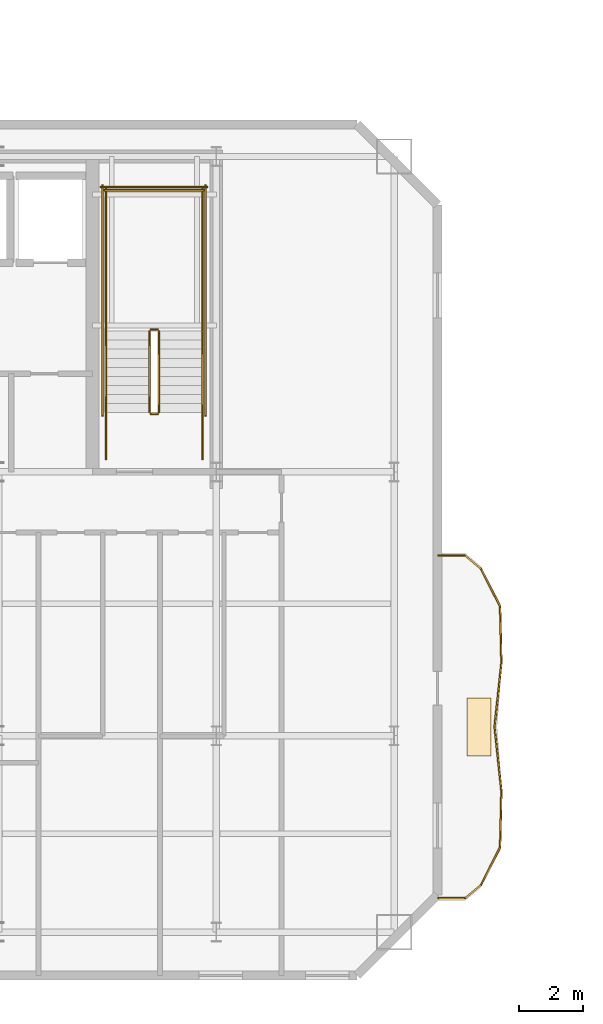
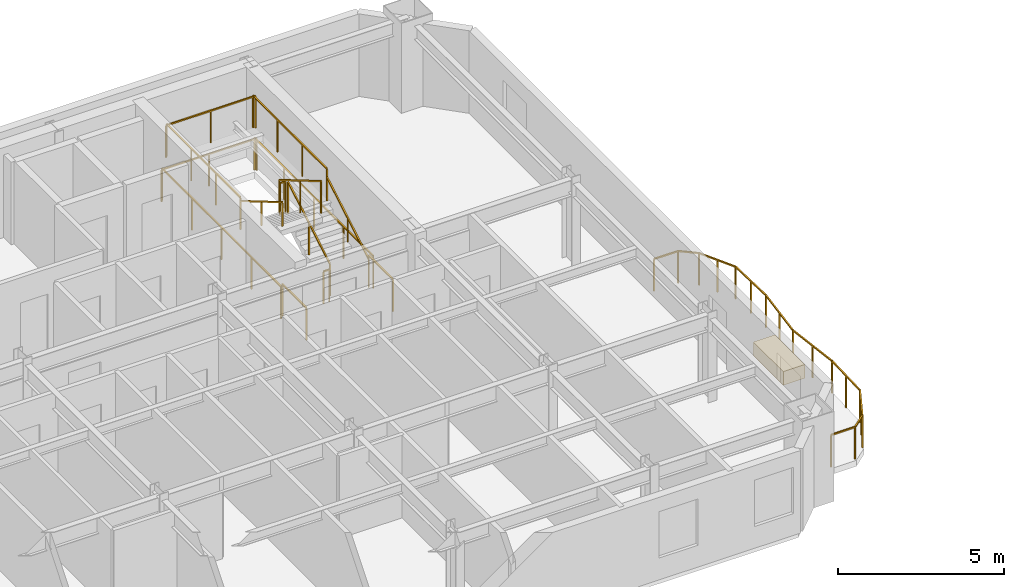
# One storey, part 12 of 14: 24 railings, 1 covering.
"""IFC4 building model written with IfcOpenShell, lengths in metres."""

import ifcopenshell
import ifcopenshell.guid

model = None  # the IFC model being written
_history = None  # IfcOwnerHistory: only IFC2X3 demands one
_inside = {}  # id of a spatial element -> (the spatial element, [elements in it])
_under = {}  # id of a project, library or spatial element -> (it, [spatial elements below it])
_declared = {}  # id of a project -> (the project, [libraries it declares])
_typed = {}  # id of a type object -> (the type object, [elements of that type])
_made_of = {}  # id of a material, layer set ... -> (it, [elements and type objects made of it])


def new_model(schema):
    """Start an empty IFC model of exactly this schema.

    Asked for "IFC4X3", IfcOpenShell would pick the latest addendum, in which some entities
    have other attributes; the version numbers below select the first issue.
    IFC2X3 requires an IfcOwnerHistory on every rooted entity: one is made here for all.
    """
    global model, _history
    if schema == "IFC4X3":
        model = ifcopenshell.file(schema_version=(4, 3, 0, 0))
    else:
        model = ifcopenshell.file(schema=schema)
    _inside.clear()
    _under.clear()
    _declared.clear()
    _typed.clear()
    _made_of.clear()
    _history = None
    if model.schema == "IFC2X3":
        org = make("IfcOrganization", Name="unknown")
        user = make(
            "IfcPersonAndOrganization",
            ThePerson=make("IfcPerson", FamilyName="unknown"),
            TheOrganization=org,
        )
        app = make(
            "IfcApplication",
            ApplicationDeveloper=org,
            Version="unknown",
            ApplicationFullName="unknown",
            ApplicationIdentifier="unknown",
        )
        _history = make(
            "IfcOwnerHistory",
            OwningUser=user,
            OwningApplication=app,
            ChangeAction="ADDED",
            CreationDate=0,
        )
    return model


def make(cls, **values):
    """One entity of the class cls with the attributes given. An attribute that is None is left unset."""
    return model.create_entity(
        cls, **{name: value for name, value in values.items() if value is not None}
    )


def rooted(cls, **values):
    """An entity with a GlobalId (a new one), such as an element, a storey or a relation."""
    return make(cls, GlobalId=ifcopenshell.guid.new(), OwnerHistory=_history, **values)


def si_unit(unit_type, name, prefix=None):
    """IfcSIUnit, for example si_unit("LENGTHUNIT", "METRE", prefix="MILLI")."""
    return make("IfcSIUnit", UnitType=unit_type, Prefix=prefix, Name=name)


def assignment(units):
    """IfcUnitAssignment: the units of a project."""
    return None if units is None else make("IfcUnitAssignment", Units=units)


def point(xyz):
    """IfcCartesianPoint."""
    return None if xyz is None else make("IfcCartesianPoint", Coordinates=xyz)


def direction(xyz):
    """IfcDirection."""
    return None if xyz is None else make("IfcDirection", DirectionRatios=xyz)


def frame(location, z_axis=None, x_axis=None):
    """IfcAxis2Placement3D, a coordinate frame: its origin and axes. An axis left out is left unset."""
    return make(
        "IfcAxis2Placement3D",
        Location=point(location),
        Axis=direction(z_axis),
        RefDirection=direction(x_axis),
    )


def frame_2d(location, x_axis=None):
    """IfcAxis2Placement2D, a coordinate frame in the plane: its origin and x axis."""
    return make(
        "IfcAxis2Placement2D", Location=point(location), RefDirection=direction(x_axis)
    )


def origin():
    """The frame at (0, 0, 0) with its axes left unset."""
    return frame((0.0, 0.0, 0.0))


def origin_2d():
    """The frame at (0, 0) in the plane with its x axis left unset."""
    return frame_2d((0.0, 0.0))


def place(relative_to, where):
    """IfcLocalPlacement: puts the frame where relative to a parent placement (None: the world)."""
    return make(
        "IfcLocalPlacement", PlacementRelTo=relative_to, RelativePlacement=where
    )


def context(
    kind, dimensions, precision=None, world=None, true_north=None, identifier=None
):
    """IfcGeometricRepresentationContext, for example the 3D "Model" context."""
    return make(
        "IfcGeometricRepresentationContext",
        ContextIdentifier=identifier,
        ContextType=kind,
        CoordinateSpaceDimension=dimensions,
        Precision=precision,
        WorldCoordinateSystem=world,
        TrueNorth=true_north,
    )


def subcontext(parent, identifier, kind, view, scale=None):
    """IfcGeometricRepresentationSubContext, for example "Body" below "Model"."""
    return make(
        "IfcGeometricRepresentationSubContext",
        ContextIdentifier=identifier,
        ContextType=kind,
        ParentContext=parent,
        TargetScale=scale,
        TargetView=view,
    )


def project(units=None, contexts=None):
    """IfcProject with its units and contexts."""
    return rooted(
        "IfcProject",
        Name="project",
        RepresentationContexts=contexts,
        UnitsInContext=assignment(units),
    )


def spatial(cls, under=None, at=None, **own):
    """A site, building, storey or space (cls), placed at a placement, below another one or the project."""
    s = rooted(cls, ObjectPlacement=at, **own)
    if under is not None:
        _under.setdefault(under.id(), (under, []))[1].append(s)
    return s


def profile(cls, at=None, kind="AREA", **sizes):
    """A parametric profile (cls). Its sizes go by their IFC names, for example OverallWidth=200.0."""
    return make(cls, ProfileType=kind, Position=at, **sizes)


def rectangle(**sizes):
    """IfcRectangleProfileDef."""
    return profile("IfcRectangleProfileDef", **sizes)


def extrude(swept, where, along, depth):
    """IfcExtrudedAreaSolid: the profile swept, set in the frame where, extruded along a direction by depth."""
    return make(
        "IfcExtrudedAreaSolid",
        SweptArea=swept,
        Position=where,
        ExtrudedDirection=direction(along),
        Depth=depth,
    )


def shape(context_of_items, identifier, shape_type, items):
    """IfcShapeRepresentation: the items that make up one representation, for example the "Body"."""
    return make(
        "IfcShapeRepresentation",
        ContextOfItems=context_of_items,
        RepresentationIdentifier=identifier,
        RepresentationType=shape_type,
        Items=items,
    )


def material(Name=None, Category=None):
    """IfcMaterial."""
    return make("IfcMaterial", Name=Name, Category=Category)


def layer(
    of_material, thickness, ventilated=None, Name=None, Category=None, Priority=None
):
    """IfcMaterialLayer: one layer of a wall or slab, of a material (None: an air gap)."""
    return make(
        "IfcMaterialLayer",
        Material=of_material,
        LayerThickness=thickness,
        IsVentilated=ventilated,
        Name=Name,
        Category=Category,
        Priority=Priority,
    )


def layer_set(layers, Name=None):
    """IfcMaterialLayerSet."""
    return make("IfcMaterialLayerSet", MaterialLayers=layers, LayerSetName=Name)


def made_of(thing, what):
    """Note that an element or type object is made of a material, layer set ...; save() writes the relation."""
    if what is not None:
        _made_of.setdefault(what.id(), (what, []))[1].append(thing)
    return thing


def type_object(cls, material=None, **own):
    """A type object (cls), such as IfcWallType, which elements share."""
    return made_of(rooted(cls, **own), material)


def element(
    cls,
    number,
    at=None,
    inside=None,
    cuts=None,
    type_object=None,
    material=None,
    context=None,
    identifier="Body",
    shape_type=None,
    held_by="IfcProductDefinitionShape",
    body=None,
    shapes=None,
    **own,
):
    """One element of the class cls, such as IfcWall. Its Tag is "e" and its number.

    at: its placement. inside: the storey or other place that contains it. cuts: it is an
    opening in that element (IfcRelVoidsElement). A single representation is given by context,
    identifier, shape_type and body (its items); several are given by shapes. held_by: the class
    of the entity that holds the representations. save() writes the other relations.
    """
    e = rooted(cls, Tag="e%d" % number, ObjectPlacement=at, **own)
    if body is not None:
        shapes = [shape(context, identifier, shape_type, body)]
    if shapes is not None:
        e.Representation = make(held_by, Representations=shapes)
    if inside is not None:
        _inside.setdefault(inside.id(), (inside, []))[1].append(e)
    if cuts is not None:
        rooted(
            "IfcRelVoidsElement", RelatingBuildingElement=cuts, RelatedOpeningElement=e
        )
    if type_object is not None:
        _typed.setdefault(type_object.id(), (type_object, []))[1].append(e)
    return made_of(e, material)


def aggregate(whole, parts):
    """IfcRelAggregates: a whole, such as a stair, and the parts it consists of."""
    return rooted("IfcRelAggregates", RelatingObject=whole, RelatedObjects=parts)


def save(model, path):
    """Write the relations noted so far, then the file.

    IfcRelAggregates (storeys below a building ...), IfcRelContainedInSpatialStructure (elements
    in a storey), IfcRelDefinesByType, IfcRelAssociatesMaterial and IfcRelDeclares: one each for
    every whole, place, type object, material and project.
    """
    for whole, parts in _under.values():
        aggregate(whole, parts)
    for where, things in _inside.values():
        rooted(
            "IfcRelContainedInSpatialStructure",
            RelatedElements=things,
            RelatingStructure=where,
        )
    for kind, things in _typed.values():
        rooted("IfcRelDefinesByType", RelatedObjects=things, RelatingType=kind)
    for what, things in _made_of.values():
        rooted("IfcRelAssociatesMaterial", RelatedObjects=things, RelatingMaterial=what)
    for by, libraries in _declared.values():
        rooted("IfcRelDeclares", RelatingContext=by, RelatedDefinitions=libraries)
    model.write(path)


model = new_model("IFC4")

# Units and contexts
model_context = context("Model", 3, precision=1e-05, world=origin(), true_north=direction((0.0, 1.0)))
body_context = subcontext(model_context, "Body", "Model", "MODEL_VIEW")
ifc_project = project(units=[si_unit("LENGTHUNIT", "METRE"), si_unit("AREAUNIT", "SQUARE_METRE"), si_unit("VOLUMEUNIT", "CUBIC_METRE"), si_unit("PLANEANGLEUNIT", "RADIAN"), si_unit("MASSUNIT", "GRAM", prefix="KILO")], contexts=[model_context])

# Site, building, storey
site_placement = place(None, origin())
site = spatial("IfcSite", under=ifc_project, at=site_placement, CompositionType="ELEMENT")
building_placement = place(site_placement, origin())
building = spatial("IfcBuilding", under=site, at=building_placement, Name="Haevon Station Towers", CompositionType="ELEMENT")
storey_placement = place(building_placement, frame((0.0, 0.0, 212.10009765625)))
storey = spatial("IfcBuildingStorey", under=building, at=storey_placement, Name="L58", CompositionType="ELEMENT", Elevation=212.10009765625)

# Railings
ifc_material_1 = material(Name="Steel S355", Category="steel")
railing_type_1 = type_object("IfcRailingType", Name="GRD-EXT1200", PredefinedType="GUARDRAIL", material=ifc_material_1)
railing_1_placement = place(storey_placement, frame((57.8984375, 24.952880859375, 0.0)))
element("IfcRailing", 1, at=railing_1_placement, inside=storey, type_object=railing_type_1, Name="L58 Perimeter Guardrail 1", PredefinedType="GUARDRAIL", context=body_context, shape_type="SweptSolid", body=[
    extrude(rectangle(XDim=0.048095703125, YDim=0.048095703125, at=origin_2d()), frame((0.0, 0.0, 1.17578125), z_axis=(0.999997284808, 0.002330317005, 0.0), x_axis=(-0.002330317005, 0.999997284808, 0.0)), (0.0, 0.0, 1.0), 0.838134765625),
    extrude(rectangle(XDim=0.0419921875, YDim=0.0419921875, at=origin_2d()), origin(), (0.0, 0.0, 1.0), 1.15185546875),
    extrude(rectangle(XDim=0.0419921875, YDim=0.0419921875, at=origin_2d()), frame((0.838134765625, 0.001953125, 0.0)), (0.0, 0.0, 1.0), 1.15185546875),
])
railing_2_placement = place(storey_placement, frame((58.736572265625, 24.954833984375, 0.0)))
element("IfcRailing", 2, at=railing_2_placement, inside=storey, type_object=railing_type_1, Name="L58 Perimeter Guardrail 2", PredefinedType="GUARDRAIL", context=body_context, shape_type="SweptSolid", body=[
    extrude(rectangle(XDim=0.048095703125, YDim=0.048095703125, at=origin_2d()), frame((0.0, 0.0, 1.17578125), z_axis=(0.766373275835, 0.64239551842, 0.0), x_axis=(-0.64239551842, 0.766373275835, 0.0)), (0.0, 0.0, 1.0), 0.639892578125),
    extrude(rectangle(XDim=0.0419921875, YDim=0.0419921875, at=origin_2d()), origin(), (0.0, 0.0, 1.0), 1.15185546875),
    extrude(rectangle(XDim=0.0419921875, YDim=0.0419921875, at=origin_2d()), frame((0.490478515625, 0.4111328125, 0.0)), (0.0, 0.0, 1.0), 1.15185546875),
])
railing_3_placement = place(storey_placement, frame((59.22705078125, 25.365966796875, 0.0)))
element("IfcRailing", 3, at=railing_3_placement, inside=storey, type_object=railing_type_1, Name="L58 Perimeter Guardrail 3", PredefinedType="GUARDRAIL", context=body_context, shape_type="SweptSolid", body=[
    extrude(rectangle(XDim=0.048095703125, YDim=0.048095703125, at=origin_2d()), frame((0.0, 0.0, 1.17578125), z_axis=(0.452270967259, 0.89188058179, 0.0), x_axis=(-0.89188058179, 0.452270967259, 0.0)), (0.0, 0.0, 1.0), 1.311279296875),
    extrude(rectangle(XDim=0.0419921875, YDim=0.0419921875, at=origin_2d()), origin(), (0.0, 0.0, 1.0), 1.15185546875),
    extrude(rectangle(XDim=0.0419921875, YDim=0.0419921875, at=origin_2d()), frame((0.29638671875, 0.584716796875, 0.0)), (0.0, 0.0, 1.0), 1.15185546875),
    extrude(rectangle(XDim=0.0419921875, YDim=0.0419921875, at=origin_2d()), frame((0.593017578125, 1.16943359375, 0.0)), (0.0, 0.0, 1.0), 1.15185546875),
])
railing_4_placement = place(storey_placement, frame((59.820068359375, 26.535400390625, 0.0)))
element("IfcRailing", 4, at=railing_4_placement, inside=storey, type_object=railing_type_1, Name="L58 Perimeter Guardrail 4", PredefinedType="GUARDRAIL", context=body_context, shape_type="SweptSolid", body=[
    extrude(rectangle(XDim=0.048095703125, YDim=0.048095703125, at=origin_2d()), frame((0.0, 0.0, 1.17578125), z_axis=(0.023447411983, 0.999725071643, 0.0), x_axis=(-0.999725071643, 0.023447411983, 0.0)), (0.0, 0.0, 1.0), 1.749267578125),
    extrude(rectangle(XDim=0.0419921875, YDim=0.0419921875, at=origin_2d()), origin(), (0.0, 0.0, 1.0), 1.15185546875),
    extrude(rectangle(XDim=0.0419921875, YDim=0.0419921875, at=origin_2d()), frame((0.0205078125, 0.87451171875, 0.0)), (0.0, 0.0, 1.0), 1.15185546875),
    extrude(rectangle(XDim=0.0419921875, YDim=0.0419921875, at=origin_2d()), frame((0.041015625, 1.748779296875, 0.0)), (0.0, 0.0, 1.0), 1.15185546875),
])
railing_5_placement = place(storey_placement, frame((59.861083984375, 28.2841796875, 0.0)))
element("IfcRailing", 5, at=railing_5_placement, inside=storey, type_object=railing_type_1, Name="L58 Perimeter Guardrail 5", PredefinedType="GUARDRAIL", context=body_context, shape_type="SweptSolid", body=[
    extrude(rectangle(XDim=0.048095703125, YDim=0.048095703125, at=origin_2d()), frame((0.0, 0.0, 1.17578125), z_axis=(-0.107299428621, 0.994226751107, 0.0), x_axis=(-0.994226751107, -0.107299428621, 0.0)), (0.0, 0.0, 1.0), 2.002197265625),
    extrude(rectangle(XDim=0.0419921875, YDim=0.0419921875, at=origin_2d()), origin(), (0.0, 0.0, 1.0), 1.15185546875),
    extrude(rectangle(XDim=0.0419921875, YDim=0.0419921875, at=origin_2d()), frame((-0.107421875, 0.995361328125, 0.0)), (0.0, 0.0, 1.0), 1.15185546875),
    extrude(rectangle(XDim=0.0419921875, YDim=0.0419921875, at=origin_2d()), frame((-0.21484375, 1.99072265625, 0.0)), (0.0, 0.0, 1.0), 1.15185546875),
])
railing_6_placement = place(storey_placement, frame((59.646240234375, 30.27490234375, 0.0)))
element("IfcRailing", 6, at=railing_6_placement, inside=storey, type_object=railing_type_1, Name="L58 Perimeter Guardrail 6", PredefinedType="GUARDRAIL", context=body_context, shape_type="SweptSolid", body=[
    extrude(rectangle(XDim=0.048095703125, YDim=0.048095703125, at=origin_2d()), frame((0.0, 0.0, 1.17578125), z_axis=(0.107286422576, 0.994228154666, 0.0), x_axis=(-0.994228154666, 0.107286422576, 0.0)), (0.0, 0.0, 1.0), 2.00244140625),
    extrude(rectangle(XDim=0.0419921875, YDim=0.0419921875, at=origin_2d()), origin(), (0.0, 0.0, 1.0), 1.15185546875),
    extrude(rectangle(XDim=0.0419921875, YDim=0.0419921875, at=origin_2d()), frame((0.107421875, 0.99560546875, 0.0)), (0.0, 0.0, 1.0), 1.15185546875),
    extrude(rectangle(XDim=0.0419921875, YDim=0.0419921875, at=origin_2d()), frame((0.21484375, 1.990966796875, 0.0)), (0.0, 0.0, 1.0), 1.15185546875),
])
railing_7_placement = place(storey_placement, frame((59.861083984375, 32.265869140625, 0.0)))
element("IfcRailing", 7, at=railing_7_placement, inside=storey, type_object=railing_type_1, Name="L58 Perimeter Guardrail 7", PredefinedType="GUARDRAIL", context=body_context, shape_type="SweptSolid", body=[
    extrude(rectangle(XDim=0.048095703125, YDim=0.048095703125, at=origin_2d()), frame((0.0, 0.0, 1.17578125), z_axis=(-0.023447411983, 0.999725071643, 0.0), x_axis=(-0.999725071643, -0.023447411983, 0.0)), (0.0, 0.0, 1.0), 1.749267578125),
    extrude(rectangle(XDim=0.0419921875, YDim=0.0419921875, at=origin_2d()), origin(), (0.0, 0.0, 1.0), 1.15185546875),
    extrude(rectangle(XDim=0.0419921875, YDim=0.0419921875, at=origin_2d()), frame((-0.0205078125, 0.87451171875, 0.0)), (0.0, 0.0, 1.0), 1.15185546875),
    extrude(rectangle(XDim=0.0419921875, YDim=0.0419921875, at=origin_2d()), frame((-0.041015625, 1.748779296875, 0.0)), (0.0, 0.0, 1.0), 1.15185546875),
])
railing_8_placement = place(storey_placement, frame((59.820068359375, 34.0146484375, 0.0)))
element("IfcRailing", 8, at=railing_8_placement, inside=storey, type_object=railing_type_1, Name="L58 Perimeter Guardrail 8", PredefinedType="GUARDRAIL", context=body_context, shape_type="SweptSolid", body=[
    extrude(rectangle(XDim=0.048095703125, YDim=0.048095703125, at=origin_2d()), frame((0.0, 0.0, 1.17578125), z_axis=(-0.452346084471, 0.891842486016, 0.0), x_axis=(-0.891842486016, -0.452346084471, 0.0)), (0.0, 0.0, 1.0), 1.31103515625),
    extrude(rectangle(XDim=0.0419921875, YDim=0.0419921875, at=origin_2d()), origin(), (0.0, 0.0, 1.0), 1.15185546875),
    extrude(rectangle(XDim=0.0419921875, YDim=0.0419921875, at=origin_2d()), frame((-0.29638671875, 0.58447265625, 0.0)), (0.0, 0.0, 1.0), 1.15185546875),
    extrude(rectangle(XDim=0.0419921875, YDim=0.0419921875, at=origin_2d()), frame((-0.593017578125, 1.169189453125, 0.0)), (0.0, 0.0, 1.0), 1.15185546875),
])
railing_9_placement = place(storey_placement, frame((59.22705078125, 35.183837890625, 0.0)))
element("IfcRailing", 9, at=railing_9_placement, inside=storey, type_object=railing_type_1, Name="L58 Perimeter Guardrail 9", PredefinedType="GUARDRAIL", context=body_context, shape_type="SweptSolid", body=[
    extrude(rectangle(XDim=0.048095703125, YDim=0.048095703125, at=origin_2d()), frame((0.0, 0.0, 1.17578125), z_axis=(-0.766185485798, 0.642619484106, 0.0), x_axis=(-0.642619484106, -0.766185485798, 0.0)), (0.0, 0.0, 1.0), 0.64013671875),
    extrude(rectangle(XDim=0.0419921875, YDim=0.0419921875, at=origin_2d()), origin(), (0.0, 0.0, 1.0), 1.15185546875),
    extrude(rectangle(XDim=0.0419921875, YDim=0.0419921875, at=origin_2d()), frame((-0.490478515625, 0.411376953125, 0.0)), (0.0, 0.0, 1.0), 1.15185546875),
])
railing_10_placement = place(storey_placement, frame((58.736572265625, 35.59521484375, 0.0)))
element("IfcRailing", 10, at=railing_10_placement, inside=storey, type_object=railing_type_1, Name="L58 Perimeter Guardrail 10", PredefinedType="GUARDRAIL", context=body_context, shape_type="SweptSolid", body=[
    extrude(rectangle(XDim=0.048095703125, YDim=0.048095703125, at=origin_2d()), frame((0.0, 0.0, 1.17578125), z_axis=(-0.999997284808, 0.002330317005, 0.0), x_axis=(-0.002330317005, -0.999997284808, 0.0)), (0.0, 0.0, 1.0), 0.838134765625),
    extrude(rectangle(XDim=0.0419921875, YDim=0.0419921875, at=origin_2d()), origin(), (0.0, 0.0, 1.0), 1.15185546875),
    extrude(rectangle(XDim=0.0419921875, YDim=0.0419921875, at=origin_2d()), frame((-0.838134765625, 0.001953125, 0.0)), (0.0, 0.0, 1.0), 1.15185546875),
])
railing_type_2 = type_object("IfcRailingType", Name="GRD-STR1200", PredefinedType="GUARDRAIL", material=ifc_material_1)
railing_11_placement = place(storey_placement, frame((49.219970703125, 40.050048828125, 0.164794921875)))
element("IfcRailing", 11, at=railing_11_placement, inside=storey, type_object=railing_type_2, Name="L58 ST2 Stair Guard 1", PredefinedType="GUARDRAIL", context=body_context, shape_type="SweptSolid", body=[
    extrude(rectangle(XDim=0.048095703125, YDim=0.048095703125, at=origin_2d()), frame((0.0, 0.0, 1.17578125), z_axis=(0.0, 0.86152411907, 0.507716645641), x_axis=(-1.0, 0.0, 0.0)), (0.0, 0.0, 1.0), 2.925048828125),
    extrude(rectangle(XDim=0.0419921875, YDim=0.0419921875, at=origin_2d()), origin(), (0.0, 0.0, 1.0), 1.15185546875),
    extrude(rectangle(XDim=0.0419921875, YDim=0.0419921875, at=origin_2d()), frame((0.0, 1.260009765625, 0.74267578125)), (0.0, 0.0, 1.0), 1.15185546875),
    extrude(rectangle(XDim=0.0419921875, YDim=0.0419921875, at=origin_2d()), frame((0.0, 2.52001953125, 1.485107421875)), (0.0, 0.0, 1.0), 1.15185546875),
])
railing_12_placement = place(storey_placement, frame((49.169921875, 42.6201171875, 1.64990234375)))
element("IfcRailing", 12, at=railing_12_placement, inside=storey, type_object=railing_type_2, Name="L58 ST2 Stair Guard 2", PredefinedType="GUARDRAIL", context=body_context, shape_type="SweptSolid", body=[
    extrude(rectangle(XDim=0.048095703125, YDim=0.048095703125, at=origin_2d()), frame((0.0, 0.0, 1.17578125), z_axis=(-1.0, 0.0, 0.0), x_axis=(0.0, -1.0, 0.0)), (0.0, 0.0, 1.0), 0.199951171875),
    extrude(rectangle(XDim=0.0419921875, YDim=0.0419921875, at=origin_2d()), origin(), (0.0, 0.0, 1.0), 1.15185546875),
    extrude(rectangle(XDim=0.0419921875, YDim=0.0419921875, at=origin_2d()), frame((-0.199951171875, 0.0, 0.0)), (0.0, 0.0, 1.0), 1.15185546875),
])
for number, where, name in (
    (13, (50.570068359375, 42.570068359375, 1.64990234375), "L58 ST2 Stair Guard 3"),
    (14, (47.570068359375, 42.570068359375, 1.64990234375), "L58 ST2 Stair Guard 4"),
):
    element("IfcRailing", number, at=place(storey_placement, frame(where)), inside=storey, type_object=railing_type_2, Name=name, PredefinedType="GUARDRAIL", context=body_context, shape_type="SweptSolid", body=[
        extrude(rectangle(XDim=0.048095703125, YDim=0.048095703125, at=origin_2d()), frame((0.0, 0.0, 1.17578125), z_axis=(0.0, 1.0, 0.0), x_axis=(-1.0, 0.0, 0.0)), (0.0, 0.0, 1.0), 4.429931640625),
        extrude(rectangle(XDim=0.0419921875, YDim=0.0419921875, at=origin_2d()), origin(), (0.0, 0.0, 1.0), 1.15185546875),
        extrude(rectangle(XDim=0.0419921875, YDim=0.0419921875, at=origin_2d()), frame((0.0, 1.4765625, 0.0)), (0.0, 0.0, 1.0), 1.15185546875),
        extrude(rectangle(XDim=0.0419921875, YDim=0.0419921875, at=origin_2d()), frame((0.0, 2.953369140625, 0.0)), (0.0, 0.0, 1.0), 1.15185546875),
        extrude(rectangle(XDim=0.0419921875, YDim=0.0419921875, at=origin_2d()), frame((0.0, 4.429931640625, 0.0)), (0.0, 0.0, 1.0), 1.15185546875),
    ])
railing_13_placement = place(storey_placement, frame((50.6201171875, 46.949951171875, 1.64990234375)))
element("IfcRailing", 15, at=railing_13_placement, inside=storey, type_object=railing_type_2, Name="L58 ST2 Stair Guard 5", PredefinedType="GUARDRAIL", context=body_context, shape_type="SweptSolid", body=[
    extrude(rectangle(XDim=0.048095703125, YDim=0.048095703125, at=origin_2d()), frame((0.0, 0.0, 1.17578125), z_axis=(-1.0, 0.0, 0.0), x_axis=(0.0, -1.0, 0.0)), (0.0, 0.0, 1.0), 3.10009765625),
    extrude(rectangle(XDim=0.0419921875, YDim=0.0419921875, at=origin_2d()), origin(), (0.0, 0.0, 1.0), 1.15185546875),
    extrude(rectangle(XDim=0.0419921875, YDim=0.0419921875, at=origin_2d()), frame((-1.550048828125, 0.0, 0.0)), (0.0, 0.0, 1.0), 1.15185546875),
    extrude(rectangle(XDim=0.0419921875, YDim=0.0419921875, at=origin_2d()), frame((-3.10009765625, 0.0, 0.0)), (0.0, 0.0, 1.0), 1.15185546875),
])
railing_14_placement = place(storey_placement, frame((48.919921875, 42.570068359375, 1.81494140625)))
element("IfcRailing", 16, at=railing_14_placement, inside=storey, type_object=railing_type_2, Name="L58 ST2 Stair Guard 6", PredefinedType="GUARDRAIL", context=body_context, shape_type="SweptSolid", body=[
    extrude(rectangle(XDim=0.048095703125, YDim=0.048095703125, at=origin_2d()), frame((0.0, 0.0, 1.17578125), z_axis=(0.0, -0.861560626758, 0.507654692109), x_axis=(1.0, 0.0, 0.0)), (0.0, 0.0, 1.0), 2.925048828125),
    extrude(rectangle(XDim=0.0419921875, YDim=0.0419921875, at=origin_2d()), origin(), (0.0, 0.0, 1.0), 1.15185546875),
    extrude(rectangle(XDim=0.0419921875, YDim=0.0419921875, at=origin_2d()), frame((0.0, -1.260009765625, 0.742431640625)), (0.0, 0.0, 1.0), 1.15185546875),
    extrude(rectangle(XDim=0.0419921875, YDim=0.0419921875, at=origin_2d()), frame((0.0, -2.52001953125, 1.48486328125)), (0.0, 0.0, 1.0), 1.15185546875),
])
railing_15_placement = place(storey_placement, frame((49.169921875, 40.0, 0.0)))
element("IfcRailing", 17, at=railing_15_placement, inside=storey, type_object=railing_type_2, Name="L58 ST2 Stair Guard 7", PredefinedType="GUARDRAIL", context=body_context, shape_type="SweptSolid", body=[
    extrude(rectangle(XDim=0.048095703125, YDim=0.048095703125, at=origin_2d()), frame((0.0, 0.0, 1.17578125), z_axis=(-1.0, 0.0, 0.0), x_axis=(0.0, -1.0, 0.0)), (0.0, 0.0, 1.0), 0.199951171875),
    extrude(rectangle(XDim=0.0419921875, YDim=0.0419921875, at=origin_2d()), origin(), (0.0, 0.0, 1.0), 1.15185546875),
    extrude(rectangle(XDim=0.0419921875, YDim=0.0419921875, at=origin_2d()), frame((-0.199951171875, 0.0, 0.0)), (0.0, 0.0, 1.0), 1.15185546875),
])
for number, where, name in (
    (18, (50.570068359375, 38.60009765625, 0.0), "L58 ST2 Stair Guard 8"),
    (19, (47.570068359375, 38.60009765625, 0.0), "L58 ST2 Stair Guard 9"),
):
    element("IfcRailing", number, at=place(storey_placement, frame(where)), inside=storey, type_object=railing_type_2, Name=name, PredefinedType="GUARDRAIL", context=body_context, shape_type="SweptSolid", body=[
        extrude(rectangle(XDim=0.048095703125, YDim=0.048095703125, at=origin_2d()), frame((0.0, 0.0, 1.17578125), z_axis=(0.0, 1.0, 0.0), x_axis=(-1.0, 0.0, 0.0)), (0.0, 0.0, 1.0), 1.449951171875),
        extrude(rectangle(XDim=0.0419921875, YDim=0.0419921875, at=origin_2d()), origin(), (0.0, 0.0, 1.0), 1.15185546875),
        extrude(rectangle(XDim=0.0419921875, YDim=0.0419921875, at=origin_2d()), frame((0.0, 1.449951171875, 0.0)), (0.0, 0.0, 1.0), 1.15185546875),
    ])
for number, where, name in (
    (20, (50.669921875, 39.949951171875, 0.0), "L58 ST2 Stair Guard 10"),
    (21, (47.469970703125, 39.949951171875, 0.0), "L58 ST2 Stair Guard 11"),
):
    element("IfcRailing", number, at=place(storey_placement, frame(where)), inside=storey, type_object=railing_type_2, Name=name, PredefinedType="GUARDRAIL", context=body_context, shape_type="SweptSolid", body=[
        extrude(rectangle(XDim=0.048095703125, YDim=0.048095703125, at=origin_2d()), frame((0.0, 0.0, 1.17578125), z_axis=(0.0, 1.0, 0.0), x_axis=(-1.0, 0.0, 0.0)), (0.0, 0.0, 1.0), 7.150146484375),
        extrude(rectangle(XDim=0.0419921875, YDim=0.0419921875, at=origin_2d()), origin(), (0.0, 0.0, 1.0), 1.15185546875),
        extrude(rectangle(XDim=0.0419921875, YDim=0.0419921875, at=origin_2d()), frame((0.0, 1.78759765625, 0.0)), (0.0, 0.0, 1.0), 1.15185546875),
        extrude(rectangle(XDim=0.0419921875, YDim=0.0419921875, at=origin_2d()), frame((0.0, 3.5751953125, 0.0)), (0.0, 0.0, 1.0), 1.15185546875),
        extrude(rectangle(XDim=0.0419921875, YDim=0.0419921875, at=origin_2d()), frame((0.0, 5.362548828125, 0.0)), (0.0, 0.0, 1.0), 1.15185546875),
        extrude(rectangle(XDim=0.0419921875, YDim=0.0419921875, at=origin_2d()), frame((0.0, 7.150146484375, 0.0)), (0.0, 0.0, 1.0), 1.15185546875),
    ])
railing_16_placement = place(storey_placement, frame((50.719970703125, 47.050048828125, 0.0)))
element("IfcRailing", 22, at=railing_16_placement, inside=storey, type_object=railing_type_2, Name="L58 ST2 Stair Guard 12", PredefinedType="GUARDRAIL", context=body_context, shape_type="SweptSolid", body=[
    extrude(rectangle(XDim=0.048095703125, YDim=0.048095703125, at=origin_2d()), frame((0.0, 0.0, 1.17578125), z_axis=(-1.0, 0.0, 0.0), x_axis=(0.0, -1.0, 0.0)), (0.0, 0.0, 1.0), 3.300048828125),
    extrude(rectangle(XDim=0.0419921875, YDim=0.0419921875, at=origin_2d()), origin(), (0.0, 0.0, 1.0), 1.15185546875),
    extrude(rectangle(XDim=0.0419921875, YDim=0.0419921875, at=origin_2d()), frame((-1.64990234375, 0.0, 0.0)), (0.0, 0.0, 1.0), 1.15185546875),
    extrude(rectangle(XDim=0.0419921875, YDim=0.0419921875, at=origin_2d()), frame((-3.300048828125, 0.0, 0.0)), (0.0, 0.0, 1.0), 1.15185546875),
])
railing_type_3 = type_object("IfcRailingType", Name="HND-STR900", PredefinedType="HANDRAIL", material=ifc_material_1)
railing_17_placement = place(storey_placement, frame((50.570068359375, 40.050048828125, 0.164794921875)))
element("IfcRailing", 23, at=railing_17_placement, inside=storey, type_object=railing_type_3, Name="L58 ST2 Stair Handrail 1", PredefinedType="HANDRAIL", context=body_context, shape_type="SweptSolid", body=[
    extrude(rectangle(XDim=0.048095703125, YDim=0.048095703125, at=origin_2d()), frame((0.0, 0.0, 0.8759765625), z_axis=(0.0, 0.86152411907, 0.507716645641), x_axis=(-1.0, 0.0, 0.0)), (0.0, 0.0, 1.0), 2.925048828125),
    extrude(rectangle(XDim=0.0419921875, YDim=0.0419921875, at=origin_2d()), origin(), (0.0, 0.0, 1.0), 0.851806640625),
    extrude(rectangle(XDim=0.0419921875, YDim=0.0419921875, at=origin_2d()), frame((0.0, 1.260009765625, 0.74267578125)), (0.0, 0.0, 1.0), 0.851806640625),
    extrude(rectangle(XDim=0.0419921875, YDim=0.0419921875, at=origin_2d()), frame((0.0, 2.52001953125, 1.485107421875)), (0.0, 0.0, 1.0), 0.851806640625),
])
railing_18_placement = place(storey_placement, frame((47.570068359375, 42.570068359375, 1.81494140625)))
element("IfcRailing", 24, at=railing_18_placement, inside=storey, type_object=railing_type_3, Name="L58 ST2 Stair Handrail 2", PredefinedType="HANDRAIL", context=body_context, shape_type="SweptSolid", body=[
    extrude(rectangle(XDim=0.048095703125, YDim=0.048095703125, at=origin_2d()), frame((0.0, 0.0, 0.8759765625), z_axis=(0.0, -0.861560626758, 0.507654692109), x_axis=(1.0, 0.0, 0.0)), (0.0, 0.0, 1.0), 2.925048828125),
    extrude(rectangle(XDim=0.0419921875, YDim=0.0419921875, at=origin_2d()), origin(), (0.0, 0.0, 1.0), 0.851806640625),
    extrude(rectangle(XDim=0.0419921875, YDim=0.0419921875, at=origin_2d()), frame((0.0, -1.260009765625, 0.742431640625)), (0.0, 0.0, 1.0), 0.851806640625),
    extrude(rectangle(XDim=0.0419921875, YDim=0.0419921875, at=origin_2d()), frame((0.0, -2.52001953125, 1.48486328125)), (0.0, 0.0, 1.0), 0.851806640625),
])

# Covering
ifc_material_2 = material(Name="Architectural planter GRC", Category="concrete")
ifc_layer = layer(ifc_material_2, 0.550048828125)
ifc_layer_set = layer_set([ifc_layer], Name="Architectural planter GRC")
covering_type = type_object("IfcCoveringType", Name="PLN-GRC550", PredefinedType="MOLDING", material=ifc_layer_set)
covering_placement = place(storey_placement, frame((59.167724609375, 30.27490234375, 0.0), z_axis=(0.0, 0.0, 1.0), x_axis=(1.0, 0.0, 0.0)))
element("IfcCovering", 25, at=covering_placement, inside=storey, type_object=covering_type, Name="Tower 1 L58 Scalloped Balcony PLANTER", PredefinedType="MOLDING", context=body_context, shape_type="SweptSolid", body=[
    extrude(rectangle(XDim=0.75, YDim=1.800048828125, at=origin_2d()), origin(), (0.0, 0.0, 1.0), 0.5),
])

save(model, "model.ifc")
